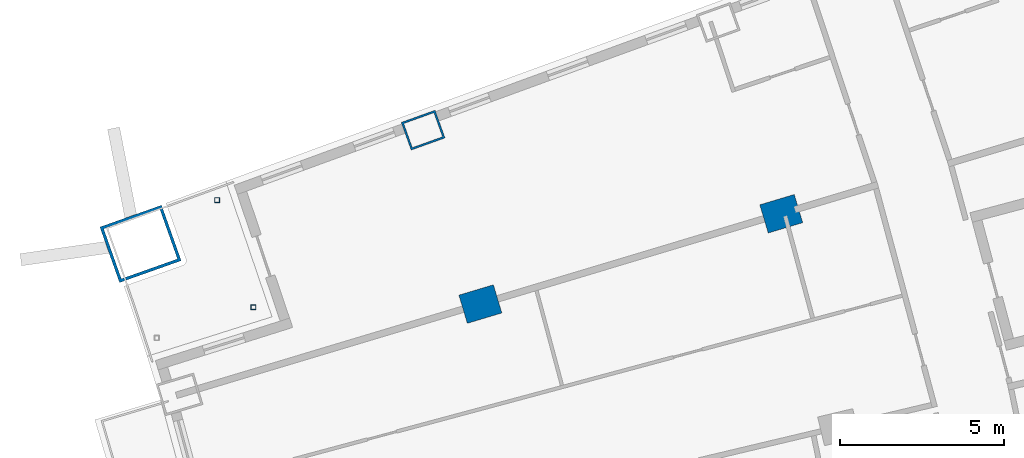
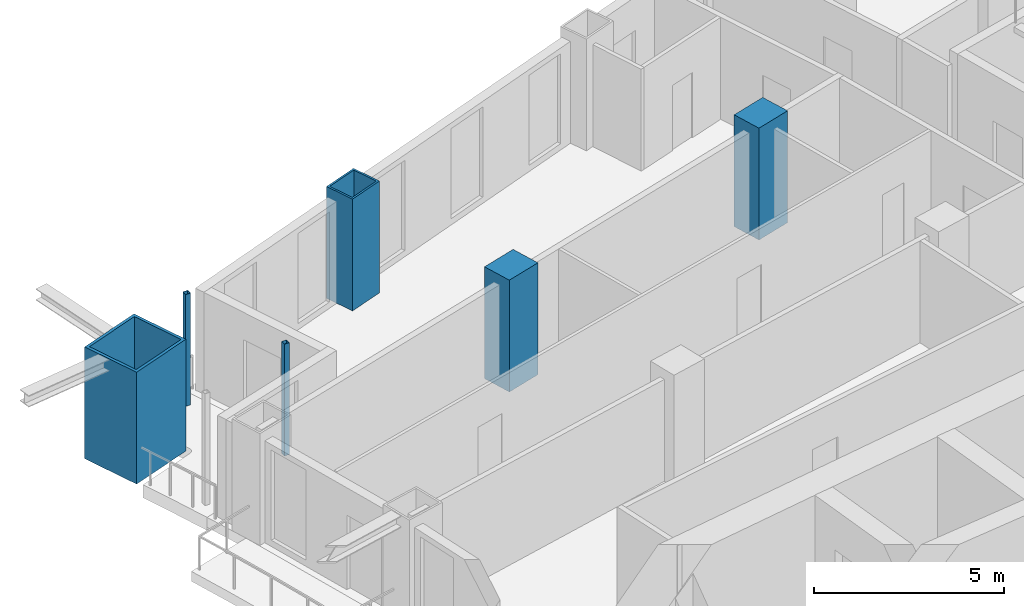
# One storey, part 7 of 23: 6 columns.
"""IFC4 building model written with IfcOpenShell, lengths in metres."""

from ifc_helpers import new_model, si_unit, direction, frame, origin, origin_2d, place, context, subcontext, project, spatial, rectangle, hollow_rectangle, extrude, material, material_profile, profile_set, type_object, element, save


model = new_model("IFC4")

# Units and contexts
model_context = context("Model", 3, precision=1e-05, world=origin(), true_north=direction((0.0, 1.0)))
body_context = subcontext(model_context, "Body", "Model", "MODEL_VIEW")
ifc_project = project(units=[si_unit("LENGTHUNIT", "METRE"), si_unit("AREAUNIT", "SQUARE_METRE"), si_unit("VOLUMEUNIT", "CUBIC_METRE"), si_unit("PLANEANGLEUNIT", "RADIAN"), si_unit("MASSUNIT", "GRAM", prefix="KILO")], contexts=[model_context])

# Site, building, storey
site_placement = place(None, origin())
site = spatial("IfcSite", under=ifc_project, at=site_placement, CompositionType="ELEMENT")
building_placement = place(site_placement, origin())
building = spatial("IfcBuilding", under=site, at=building_placement, Name="Alderwake Tower", CompositionType="ELEMENT")
storey_placement = place(building_placement, frame((0.0, 0.0, 71.60009765625)))
storey = spatial("IfcBuildingStorey", under=building, at=storey_placement, Name="L17", CompositionType="ELEMENT", Elevation=71.60009765625)

# Columns
ifc_material_1 = material(Name="Steel ASTM A572 Grade 50 concrete filled C70/85", Category="concrete")
ifc_material_profile_1 = material_profile(ifc_material_1, hollow_rectangle(XDim=0.89990234375, YDim=1.10009765625, WallThickness=0.06005859375, at=origin_2d()), Name="BOX 1100X900X60")
ifc_profile_set_1 = profile_set([ifc_material_profile_1], Name="Steel ASTM A572 Grade 50 concrete filled C70/85")
column_type_1 = type_object("IfcColumnType", Name="End column Z1", PredefinedType="COLUMN", material=ifc_profile_set_1)
column_1_placement = place(storey_placement, frame((19.965576171875, 96.8515625, 0.0), z_axis=(0.0, 0.0, 1.0), x_axis=(-0.337584879279, 0.9412950915, 0.0)))
element("IfcColumn", 1, at=column_1_placement, inside=storey, type_object=column_type_1, Name="Column R13-C1", PredefinedType="COLUMN", context=body_context, shape_type="SweptSolid", body=[
    extrude(hollow_rectangle(XDim=0.89990234375, YDim=1.10009765625, WallThickness=0.06005859375, at=origin_2d()), origin(), (0.0, 0.0, 1.0), 3.599853515625),
])
ifc_material_2 = material(Name="Concrete C70/85", Category="concrete")
ifc_material_profile_2 = material_profile(ifc_material_2, rectangle(XDim=0.89990234375, YDim=1.10009765625, at=origin_2d()), Name="RC 1100X900")
ifc_profile_set_2 = profile_set([ifc_material_profile_2], Name="Concrete C70/85")
column_type_2 = type_object("IfcColumnType", Name="Interior column Z1", PredefinedType="COLUMN", material=ifc_profile_set_2)
for number, where, z_axis, x_axis, name in (
    (2, (21.714599609375, 91.53759765625, 0.0), (0.0, 0.0, 1.0), (-0.287549418125, 0.957765802342, 0.0), "Column R12-C1"),
    (3, (30.9091796875, 94.298095703125, 0.0), (0.0, 0.0, 1.0), (-0.287549418125, 0.957765802342, 0.0), "Column R12-C2"),
):
    element("IfcColumn", number, at=place(storey_placement, frame(where, z_axis=z_axis, x_axis=x_axis)), inside=storey, type_object=column_type_2, Name=name, PredefinedType="COLUMN", context=body_context, shape_type="SweptSolid", body=[
        extrude(rectangle(XDim=0.89990234375, YDim=1.10009765625, at=origin_2d()), origin(), (0.0, 0.0, 1.0), 3.599853515625),
    ])
ifc_material_3 = material(Name="Steel ASTM A500 Grade C", Category="steel")
ifc_material_profile_3 = material_profile(ifc_material_3, hollow_rectangle(XDim=0.15234375, YDim=0.15234375, WallThickness=0.0087890625, at=origin_2d()), Name="HSS6X6X3/8")
ifc_profile_set_3 = profile_set([ifc_material_profile_3], Name="Steel ASTM A500 Grade C")
column_type_3 = type_object("IfcColumnType", Name="Light post HSS6X6X3/8", PredefinedType="COLUMN", material=ifc_profile_set_3)
for number, where, z_axis, x_axis, name in (
    (4, (13.66796875, 94.71240234375, 0.0), (0.0, 0.0, 1.0), (1.0, 0.0, 0.0), "Terrace post RN2"),
    (5, (14.781494140625, 91.441650390625, 0.0), (0.0, 0.0, 1.0), (1.0, 0.0, 0.0), "Terrace post RN3"),
):
    element("IfcColumn", number, at=place(storey_placement, frame(where, z_axis=z_axis, x_axis=x_axis)), inside=storey, type_object=column_type_3, Name=name, PredefinedType="COLUMN", context=body_context, shape_type="SweptSolid", body=[
        extrude(hollow_rectangle(XDim=0.15234375, YDim=0.15234375, WallThickness=0.0087890625, at=origin_2d()), origin(), (0.0, 0.0, 1.0), 3.599853515625),
    ])
ifc_material_4 = material(Name="Steel ASTM A572 Grade 50 concrete filled C70/85", Category="concrete")
ifc_material_profile_4 = material_profile(ifc_material_4, hollow_rectangle(XDim=1.800048828125, YDim=2.0, WallThickness=0.090087890625, at=origin_2d()), Name="BOX 2000X1800X90")
ifc_profile_set_4 = profile_set([ifc_material_profile_4], Name="Steel ASTM A572 Grade 50 concrete filled C70/85")
column_type_4 = type_object("IfcColumnType", Name="Mega column Z1", PredefinedType="COLUMN", material=ifc_profile_set_4)
column_2_placement = place(storey_placement, frame((11.330810546875, 93.377197265625, 0.0), z_axis=(0.0, 0.0, 1.0), x_axis=(-0.334130947791, 0.942526662609, 0.0)))
element("IfcColumn", 6, at=column_2_placement, inside=storey, type_object=column_type_4, Name="Column R13-C0", PredefinedType="COLUMN", context=body_context, shape_type="SweptSolid", body=[
    extrude(hollow_rectangle(XDim=1.800048828125, YDim=2.0, WallThickness=0.090087890625, at=origin_2d()), origin(), (0.0, 0.0, 1.0), 3.599853515625),
])

save(model, "model.ifc")
